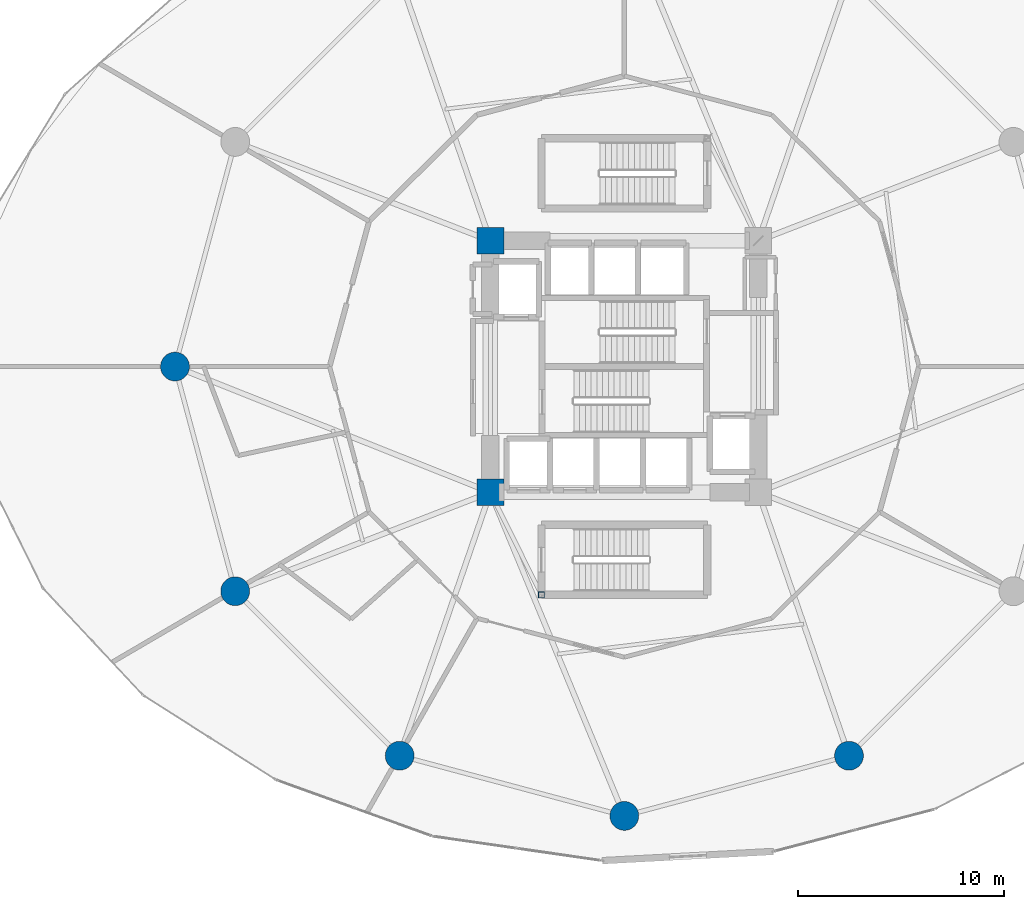
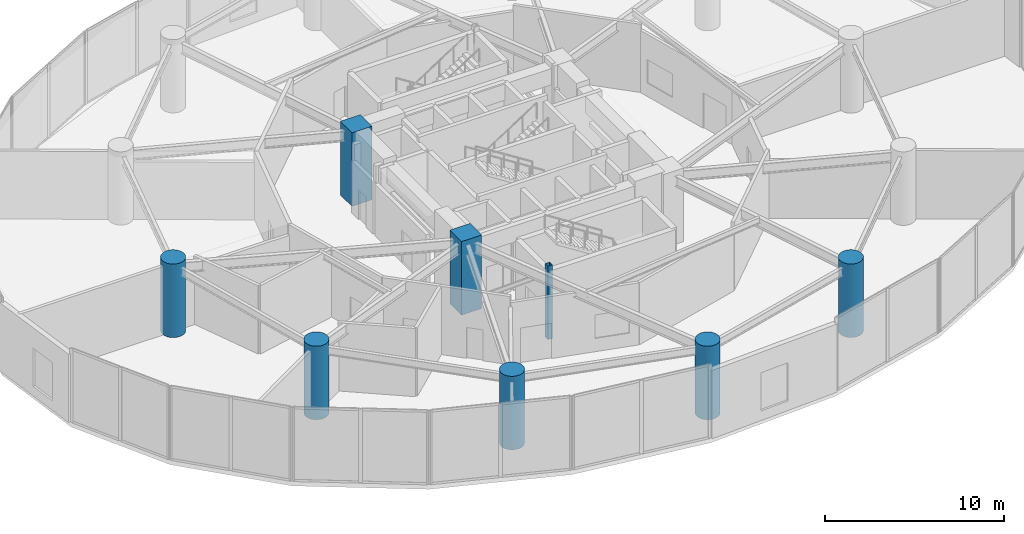
# One storey, part 1 of 31: 8 columns.
"""IFC4 building model written with IfcOpenShell, lengths in metres."""

from ifc_helpers import new_model, si_unit, direction, frame, origin, origin_2d, place, context, subcontext, project, spatial, rectangle, hollow_rectangle, circle, extrude, material, material_profile, profile_set, type_object, element, save


model = new_model("IFC4")

# Units and contexts
model_context = context("Model", 3, precision=1e-05, world=origin(), true_north=direction((0.0, 1.0)))
body_context = subcontext(model_context, "Body", "Model", "MODEL_VIEW")
ifc_project = project(units=[si_unit("LENGTHUNIT", "METRE"), si_unit("AREAUNIT", "SQUARE_METRE"), si_unit("VOLUMEUNIT", "CUBIC_METRE"), si_unit("PLANEANGLEUNIT", "RADIAN"), si_unit("MASSUNIT", "GRAM", prefix="KILO")], contexts=[model_context])

# Site, building, storey
site_placement = place(None, origin())
site = spatial("IfcSite", under=ifc_project, at=site_placement, CompositionType="ELEMENT")
building_placement = place(site_placement, origin())
building = spatial("IfcBuilding", under=site, at=building_placement, Name="Solvirekh Grand Hotel", CompositionType="ELEMENT")
storey_placement = place(building_placement, frame((0.0, 0.0, 18.60009765625)))
storey = spatial("IfcBuildingStorey", under=building, at=storey_placement, Name="L03", CompositionType="ELEMENT", Elevation=18.60009765625)

# Columns
ifc_material_1 = material(Name="Concrete C60/75", Category="concrete")
ifc_material_profile_1 = material_profile(ifc_material_1, circle(Radius=0.699951171875, at=origin_2d()), Name="RC CIRC D1400")
ifc_profile_set_1 = profile_set([ifc_material_profile_1], Name="Concrete C60/75")
column_type_1 = type_object("IfcColumnType", Name="Col_Base_D1400", PredefinedType="COLUMN", material=ifc_profile_set_1)
for number, where, z_axis, x_axis, name in (
    (1, (-21.800048828125, 0.0, 0.0), (0.0, 0.0, 1.0), (1.0, 0.0, 0.0), "L03 perimeter column P07"),
    (2, (-18.87890625, -10.89990234375, 0.0), (0.0, 0.0, 1.0), (1.0, 0.0, 0.0), "L03 perimeter column P08"),
    (3, (-10.89990234375, -18.87890625, 0.0), (0.0, 0.0, 1.0), (1.0, 0.0, 0.0), "L03 perimeter column P09"),
    (4, (0.0, -21.800048828125, 0.0), (0.0, 0.0, 1.0), (1.0, 0.0, 0.0), "L03 perimeter column P10"),
    (5, (10.89990234375, -18.87890625, 0.0), (0.0, 0.0, 1.0), (1.0, 0.0, 0.0), "L03 perimeter column P11"),
):
    element("IfcColumn", number, at=place(storey_placement, frame(where, z_axis=z_axis, x_axis=x_axis)), inside=storey, type_object=column_type_1, Name=name, PredefinedType="COLUMN", context=body_context, shape_type="SweptSolid", body=[
        extrude(circle(Radius=0.699951171875, at=origin_2d()), origin(), (0.0, 0.0, 1.0), 5.0),
    ])
ifc_material_profile_2 = material_profile(ifc_material_1, rectangle(XDim=1.300048828125, YDim=1.300048828125, at=origin_2d()), Name="RC 1300X1300")
ifc_profile_set_2 = profile_set([ifc_material_profile_2], Name="Concrete C60/75")
column_type_2 = type_object("IfcColumnType", Name="Col_Core_1300", PredefinedType="COLUMN", material=ifc_profile_set_2)
for number, where, z_axis, x_axis, name in (
    (6, (-6.5, -6.10009765625, 0.0), (0.0, 0.0, 1.0), (1.0, 0.0, 0.0), "L03 core corner column CC1"),
    (7, (-6.5, 6.10009765625, 0.0), (0.0, 0.0, 1.0), (1.0, 0.0, 0.0), "L03 core corner column CC4"),
):
    element("IfcColumn", number, at=place(storey_placement, frame(where, z_axis=z_axis, x_axis=x_axis)), inside=storey, type_object=column_type_2, Name=name, PredefinedType="COLUMN", context=body_context, shape_type="SweptSolid", body=[
        extrude(rectangle(XDim=1.300048828125, YDim=1.300048828125, at=origin_2d()), origin(), (0.0, 0.0, 1.0), 5.0),
    ])
ifc_material_2 = material(Name="Steel S355", Category="steel")
ifc_material_profile_3 = material_profile(ifc_material_2, hollow_rectangle(XDim=0.300048828125, YDim=0.300048828125, WallThickness=0.01611328125, at=origin_2d()), Name="SHS 300X300X16")
ifc_profile_set_3 = profile_set([ifc_material_profile_3], Name="Steel S355")
column_type_3 = type_object("IfcColumnType", Name="Col_Pod_SHS300", PredefinedType="COLUMN", material=ifc_profile_set_3)
column_placement = place(storey_placement, frame((-4.02490234375, -11.074951171875, 0.0), z_axis=(0.0, 0.0, 1.0), x_axis=(1.0, 0.0, 0.0)))
element("IfcColumn", 8, at=column_placement, inside=storey, type_object=column_type_3, Name="L03 podium stair enclosure post 1", PredefinedType="COLUMN", context=body_context, shape_type="SweptSolid", body=[
    extrude(hollow_rectangle(XDim=0.300048828125, YDim=0.300048828125, WallThickness=0.01611328125, at=origin_2d()), origin(), (0.0, 0.0, 1.0), 5.0),
])

save(model, "model.ifc")
